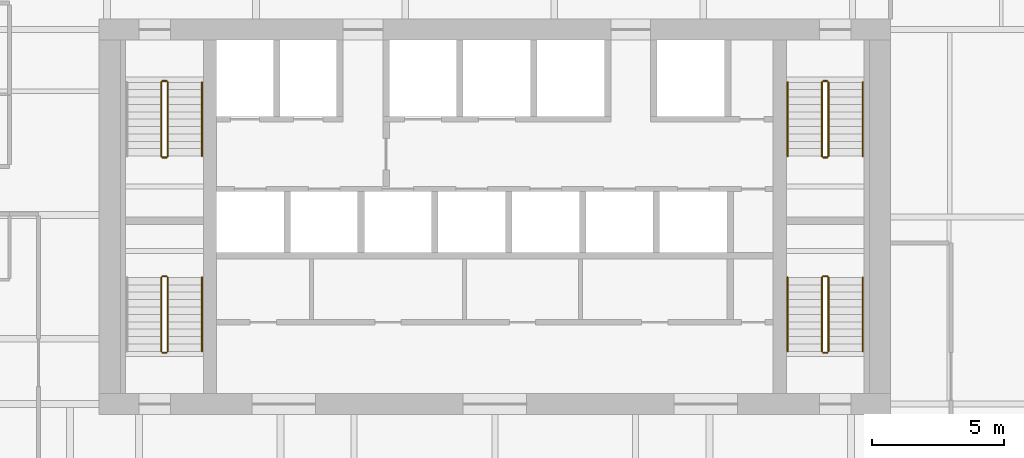
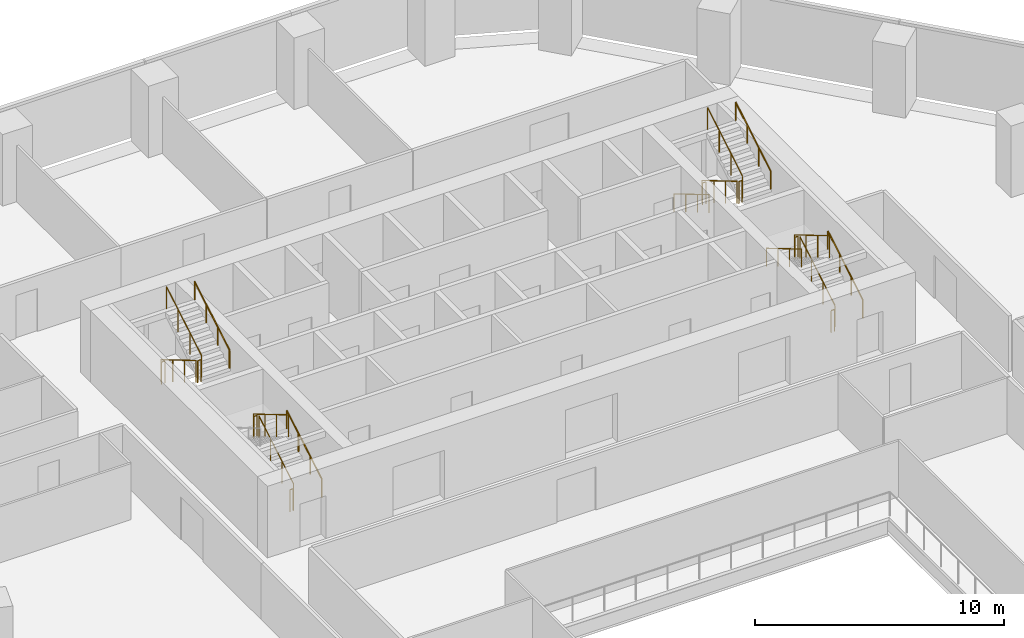
# One storey, part 15 of 16: 22 railings.
"""IFC4 building model written with IfcOpenShell, lengths in metres."""

import ifcopenshell
import ifcopenshell.guid

model = None  # the IFC model being written
_history = None  # IfcOwnerHistory: only IFC2X3 demands one
_inside = {}  # id of a spatial element -> (the spatial element, [elements in it])
_under = {}  # id of a project, library or spatial element -> (it, [spatial elements below it])
_declared = {}  # id of a project -> (the project, [libraries it declares])
_typed = {}  # id of a type object -> (the type object, [elements of that type])
_made_of = {}  # id of a material, layer set ... -> (it, [elements and type objects made of it])


def new_model(schema):
    """Start an empty IFC model of exactly this schema.

    Asked for "IFC4X3", IfcOpenShell would pick the latest addendum, in which some entities
    have other attributes; the version numbers below select the first issue.
    IFC2X3 requires an IfcOwnerHistory on every rooted entity: one is made here for all.
    """
    global model, _history
    if schema == "IFC4X3":
        model = ifcopenshell.file(schema_version=(4, 3, 0, 0))
    else:
        model = ifcopenshell.file(schema=schema)
    _inside.clear()
    _under.clear()
    _declared.clear()
    _typed.clear()
    _made_of.clear()
    _history = None
    if model.schema == "IFC2X3":
        org = make("IfcOrganization", Name="unknown")
        user = make(
            "IfcPersonAndOrganization",
            ThePerson=make("IfcPerson", FamilyName="unknown"),
            TheOrganization=org,
        )
        app = make(
            "IfcApplication",
            ApplicationDeveloper=org,
            Version="unknown",
            ApplicationFullName="unknown",
            ApplicationIdentifier="unknown",
        )
        _history = make(
            "IfcOwnerHistory",
            OwningUser=user,
            OwningApplication=app,
            ChangeAction="ADDED",
            CreationDate=0,
        )
    return model


def make(cls, **values):
    """One entity of the class cls with the attributes given. An attribute that is None is left unset."""
    return model.create_entity(
        cls, **{name: value for name, value in values.items() if value is not None}
    )


def rooted(cls, **values):
    """An entity with a GlobalId (a new one), such as an element, a storey or a relation."""
    return make(cls, GlobalId=ifcopenshell.guid.new(), OwnerHistory=_history, **values)


def si_unit(unit_type, name, prefix=None):
    """IfcSIUnit, for example si_unit("LENGTHUNIT", "METRE", prefix="MILLI")."""
    return make("IfcSIUnit", UnitType=unit_type, Prefix=prefix, Name=name)


def assignment(units):
    """IfcUnitAssignment: the units of a project."""
    return None if units is None else make("IfcUnitAssignment", Units=units)


def point(xyz):
    """IfcCartesianPoint."""
    return None if xyz is None else make("IfcCartesianPoint", Coordinates=xyz)


def direction(xyz):
    """IfcDirection."""
    return None if xyz is None else make("IfcDirection", DirectionRatios=xyz)


def frame(location, z_axis=None, x_axis=None):
    """IfcAxis2Placement3D, a coordinate frame: its origin and axes. An axis left out is left unset."""
    return make(
        "IfcAxis2Placement3D",
        Location=point(location),
        Axis=direction(z_axis),
        RefDirection=direction(x_axis),
    )


def frame_2d(location, x_axis=None):
    """IfcAxis2Placement2D, a coordinate frame in the plane: its origin and x axis."""
    return make(
        "IfcAxis2Placement2D", Location=point(location), RefDirection=direction(x_axis)
    )


def origin():
    """The frame at (0, 0, 0) with its axes left unset."""
    return frame((0.0, 0.0, 0.0))


def origin_2d():
    """The frame at (0, 0) in the plane with its x axis left unset."""
    return frame_2d((0.0, 0.0))


def place(relative_to, where):
    """IfcLocalPlacement: puts the frame where relative to a parent placement (None: the world)."""
    return make(
        "IfcLocalPlacement", PlacementRelTo=relative_to, RelativePlacement=where
    )


def context(
    kind, dimensions, precision=None, world=None, true_north=None, identifier=None
):
    """IfcGeometricRepresentationContext, for example the 3D "Model" context."""
    return make(
        "IfcGeometricRepresentationContext",
        ContextIdentifier=identifier,
        ContextType=kind,
        CoordinateSpaceDimension=dimensions,
        Precision=precision,
        WorldCoordinateSystem=world,
        TrueNorth=true_north,
    )


def subcontext(parent, identifier, kind, view, scale=None):
    """IfcGeometricRepresentationSubContext, for example "Body" below "Model"."""
    return make(
        "IfcGeometricRepresentationSubContext",
        ContextIdentifier=identifier,
        ContextType=kind,
        ParentContext=parent,
        TargetScale=scale,
        TargetView=view,
    )


def project(units=None, contexts=None):
    """IfcProject with its units and contexts."""
    return rooted(
        "IfcProject",
        Name="project",
        RepresentationContexts=contexts,
        UnitsInContext=assignment(units),
    )


def spatial(cls, under=None, at=None, **own):
    """A site, building, storey or space (cls), placed at a placement, below another one or the project."""
    s = rooted(cls, ObjectPlacement=at, **own)
    if under is not None:
        _under.setdefault(under.id(), (under, []))[1].append(s)
    return s


def profile(cls, at=None, kind="AREA", **sizes):
    """A parametric profile (cls). Its sizes go by their IFC names, for example OverallWidth=200.0."""
    return make(cls, ProfileType=kind, Position=at, **sizes)


def circle(**sizes):
    """IfcCircleProfileDef."""
    return profile("IfcCircleProfileDef", **sizes)


def extrude(swept, where, along, depth):
    """IfcExtrudedAreaSolid: the profile swept, set in the frame where, extruded along a direction by depth."""
    return make(
        "IfcExtrudedAreaSolid",
        SweptArea=swept,
        Position=where,
        ExtrudedDirection=direction(along),
        Depth=depth,
    )


def shape(context_of_items, identifier, shape_type, items):
    """IfcShapeRepresentation: the items that make up one representation, for example the "Body"."""
    return make(
        "IfcShapeRepresentation",
        ContextOfItems=context_of_items,
        RepresentationIdentifier=identifier,
        RepresentationType=shape_type,
        Items=items,
    )


def material(Name=None, Category=None):
    """IfcMaterial."""
    return make("IfcMaterial", Name=Name, Category=Category)


def made_of(thing, what):
    """Note that an element or type object is made of a material, layer set ...; save() writes the relation."""
    if what is not None:
        _made_of.setdefault(what.id(), (what, []))[1].append(thing)
    return thing


def type_object(cls, material=None, **own):
    """A type object (cls), such as IfcWallType, which elements share."""
    return made_of(rooted(cls, **own), material)


def element(
    cls,
    number,
    at=None,
    inside=None,
    cuts=None,
    type_object=None,
    material=None,
    context=None,
    identifier="Body",
    shape_type=None,
    held_by="IfcProductDefinitionShape",
    body=None,
    shapes=None,
    **own,
):
    """One element of the class cls, such as IfcWall. Its Tag is "e" and its number.

    at: its placement. inside: the storey or other place that contains it. cuts: it is an
    opening in that element (IfcRelVoidsElement). A single representation is given by context,
    identifier, shape_type and body (its items); several are given by shapes. held_by: the class
    of the entity that holds the representations. save() writes the other relations.
    """
    e = rooted(cls, Tag="e%d" % number, ObjectPlacement=at, **own)
    if body is not None:
        shapes = [shape(context, identifier, shape_type, body)]
    if shapes is not None:
        e.Representation = make(held_by, Representations=shapes)
    if inside is not None:
        _inside.setdefault(inside.id(), (inside, []))[1].append(e)
    if cuts is not None:
        rooted(
            "IfcRelVoidsElement", RelatingBuildingElement=cuts, RelatedOpeningElement=e
        )
    if type_object is not None:
        _typed.setdefault(type_object.id(), (type_object, []))[1].append(e)
    return made_of(e, material)


def aggregate(whole, parts):
    """IfcRelAggregates: a whole, such as a stair, and the parts it consists of."""
    return rooted("IfcRelAggregates", RelatingObject=whole, RelatedObjects=parts)


def save(model, path):
    """Write the relations noted so far, then the file.

    IfcRelAggregates (storeys below a building ...), IfcRelContainedInSpatialStructure (elements
    in a storey), IfcRelDefinesByType, IfcRelAssociatesMaterial and IfcRelDeclares: one each for
    every whole, place, type object, material and project.
    """
    for whole, parts in _under.values():
        aggregate(whole, parts)
    for where, things in _inside.values():
        rooted(
            "IfcRelContainedInSpatialStructure",
            RelatedElements=things,
            RelatingStructure=where,
        )
    for kind, things in _typed.values():
        rooted("IfcRelDefinesByType", RelatedObjects=things, RelatingType=kind)
    for what, things in _made_of.values():
        rooted("IfcRelAssociatesMaterial", RelatedObjects=things, RelatingMaterial=what)
    for by, libraries in _declared.values():
        rooted("IfcRelDeclares", RelatingContext=by, RelatedDefinitions=libraries)
    model.write(path)


model = new_model("IFC4")

# Units and contexts
model_context = context("Model", 3, precision=1e-05, world=origin(), true_north=direction((0.0, 1.0)))
body_context = subcontext(model_context, "Body", "Model", "MODEL_VIEW")
ifc_project = project(units=[si_unit("LENGTHUNIT", "METRE"), si_unit("AREAUNIT", "SQUARE_METRE"), si_unit("VOLUMEUNIT", "CUBIC_METRE"), si_unit("PLANEANGLEUNIT", "RADIAN"), si_unit("MASSUNIT", "GRAM", prefix="KILO")], contexts=[model_context])

# Site, building, storey
site_placement = place(None, origin())
site = spatial("IfcSite", under=ifc_project, at=site_placement, CompositionType="ELEMENT")
building_placement = place(site_placement, origin())
building = spatial("IfcBuilding", under=site, at=building_placement, Name="Isthmus Gate Tower", CompositionType="ELEMENT")
storey_placement = place(building_placement, frame((0.0, 0.0, 155.35009765625)))
storey = spatial("IfcBuildingStorey", under=building, at=storey_placement, Name="L38", CompositionType="ELEMENT", Elevation=155.35009765625)

# Railings
ifc_material_1 = material(Name="Stainless steel balustrade", Category="steel")
railing_type_1 = type_object("IfcRailingType", Name="STAIR GUARD 1100", PredefinedType="GUARDRAIL", material=ifc_material_1)
railing_1_placement = place(storey_placement, frame((-12.64990234375, 12.60009765625, 0.165771484375)))
element("IfcRailing", 1, at=railing_1_placement, inside=storey, type_object=railing_type_1, Name="L38 ST1 stair guard 1", PredefinedType="GUARDRAIL", context=body_context, shape_type="SweptSolid", body=[
    extrude(circle(Radius=0.02392578125, at=origin_2d()), frame((0.0, 0.0, 1.076171875), z_axis=(0.0, -0.860306154799, 0.50977771628), x_axis=(1.0, 0.0, 0.0)), (0.0, 0.0, 1.0), 3.254638671875),
    extrude(circle(Radius=0.02099609375, at=origin_2d()), origin(), (0.0, 0.0, 1.0), 1.052001953125),
    extrude(circle(Radius=0.02099609375, at=origin_2d()), frame((0.0, -0.933349609375, 0.552978515625)), (0.0, 0.0, 1.0), 1.052001953125),
    extrude(circle(Radius=0.02099609375, at=origin_2d()), frame((0.0, -1.86669921875, 1.106201171875)), (0.0, 0.0, 1.0), 1.052001953125),
    extrude(circle(Radius=0.02099609375, at=origin_2d()), frame((0.0, -2.800048828125, 1.6591796875)), (0.0, 0.0, 1.0), 1.052001953125),
])
railing_2_placement = place(storey_placement, frame((-12.60009765625, 9.75, 1.824951171875)))
element("IfcRailing", 2, at=railing_2_placement, inside=storey, type_object=railing_type_1, Name="L38 ST1 stair guard 2", PredefinedType="GUARDRAIL", context=body_context, shape_type="SweptSolid", body=[
    extrude(circle(Radius=0.02392578125, at=origin_2d()), frame((0.0, 0.0, 1.076171875), z_axis=(1.0, 0.0, 0.0), x_axis=(0.0, 1.0, 0.0)), (0.0, 0.0, 1.0), 0.150146484375),
    extrude(circle(Radius=0.02099609375, at=origin_2d()), origin(), (0.0, 0.0, 1.0), 1.052001953125),
    extrude(circle(Radius=0.02099609375, at=origin_2d()), frame((0.150146484375, 0.0, 0.0)), (0.0, 0.0, 1.0), 1.052001953125),
])
railing_3_placement = place(storey_placement, frame((-12.39990234375, 9.800048828125, 1.99072265625)))
element("IfcRailing", 3, at=railing_3_placement, inside=storey, type_object=railing_type_1, Name="L38 ST1 stair guard 3", PredefinedType="GUARDRAIL", context=body_context, shape_type="SweptSolid", body=[
    extrude(circle(Radius=0.02392578125, at=origin_2d()), frame((0.0, 0.0, 1.076171875), z_axis=(0.0, 0.860306154799, 0.50977771628), x_axis=(-1.0, 0.0, 0.0)), (0.0, 0.0, 1.0), 3.254638671875),
    extrude(circle(Radius=0.02099609375, at=origin_2d()), origin(), (0.0, 0.0, 1.0), 1.052001953125),
    extrude(circle(Radius=0.02099609375, at=origin_2d()), frame((0.0, 0.933349609375, 0.552978515625)), (0.0, 0.0, 1.0), 1.052001953125),
    extrude(circle(Radius=0.02099609375, at=origin_2d()), frame((0.0, 1.86669921875, 1.106201171875)), (0.0, 0.0, 1.0), 1.052001953125),
    extrude(circle(Radius=0.02099609375, at=origin_2d()), frame((0.0, 2.800048828125, 1.6591796875)), (0.0, 0.0, 1.0), 1.052001953125),
])
railing_4_placement = place(storey_placement, frame((-12.60009765625, 12.64990234375, 0.0)))
element("IfcRailing", 4, at=railing_4_placement, inside=storey, type_object=railing_type_1, Name="L38 ST1 stair guard 4", PredefinedType="GUARDRAIL", context=body_context, shape_type="SweptSolid", body=[
    extrude(circle(Radius=0.02392578125, at=origin_2d()), frame((0.0, 0.0, 1.076171875), z_axis=(1.0, 0.0, 0.0), x_axis=(0.0, 1.0, 0.0)), (0.0, 0.0, 1.0), 0.150146484375),
    extrude(circle(Radius=0.02099609375, at=origin_2d()), origin(), (0.0, 0.0, 1.0), 1.052001953125),
    extrude(circle(Radius=0.02099609375, at=origin_2d()), frame((0.150146484375, 0.0, 0.0)), (0.0, 0.0, 1.0), 1.052001953125),
])
railing_5_placement = place(storey_placement, frame((12.39990234375, 12.60009765625, 0.165771484375)))
element("IfcRailing", 5, at=railing_5_placement, inside=storey, type_object=railing_type_1, Name="L38 ST2 stair guard 1", PredefinedType="GUARDRAIL", context=body_context, shape_type="SweptSolid", body=[
    extrude(circle(Radius=0.02392578125, at=origin_2d()), frame((0.0, 0.0, 1.076171875), z_axis=(0.0, -0.860306154799, 0.50977771628), x_axis=(1.0, 0.0, 0.0)), (0.0, 0.0, 1.0), 3.254638671875),
    extrude(circle(Radius=0.02099609375, at=origin_2d()), origin(), (0.0, 0.0, 1.0), 1.052001953125),
    extrude(circle(Radius=0.02099609375, at=origin_2d()), frame((0.0, -0.933349609375, 0.552978515625)), (0.0, 0.0, 1.0), 1.052001953125),
    extrude(circle(Radius=0.02099609375, at=origin_2d()), frame((0.0, -1.86669921875, 1.106201171875)), (0.0, 0.0, 1.0), 1.052001953125),
    extrude(circle(Radius=0.02099609375, at=origin_2d()), frame((0.0, -2.800048828125, 1.6591796875)), (0.0, 0.0, 1.0), 1.052001953125),
])
railing_6_placement = place(storey_placement, frame((12.449951171875, 9.75, 1.824951171875)))
element("IfcRailing", 6, at=railing_6_placement, inside=storey, type_object=railing_type_1, Name="L38 ST2 stair guard 2", PredefinedType="GUARDRAIL", context=body_context, shape_type="SweptSolid", body=[
    extrude(circle(Radius=0.02392578125, at=origin_2d()), frame((0.0, 0.0, 1.076171875), z_axis=(1.0, 0.0, 0.0), x_axis=(0.0, 1.0, 0.0)), (0.0, 0.0, 1.0), 0.150146484375),
    extrude(circle(Radius=0.02099609375, at=origin_2d()), origin(), (0.0, 0.0, 1.0), 1.052001953125),
    extrude(circle(Radius=0.02099609375, at=origin_2d()), frame((0.150146484375, 0.0, 0.0)), (0.0, 0.0, 1.0), 1.052001953125),
])
railing_7_placement = place(storey_placement, frame((12.64990234375, 9.800048828125, 1.99072265625)))
element("IfcRailing", 7, at=railing_7_placement, inside=storey, type_object=railing_type_1, Name="L38 ST2 stair guard 3", PredefinedType="GUARDRAIL", context=body_context, shape_type="SweptSolid", body=[
    extrude(circle(Radius=0.02392578125, at=origin_2d()), frame((0.0, 0.0, 1.076171875), z_axis=(0.0, 0.860306154799, 0.50977771628), x_axis=(-1.0, 0.0, 0.0)), (0.0, 0.0, 1.0), 3.254638671875),
    extrude(circle(Radius=0.02099609375, at=origin_2d()), origin(), (0.0, 0.0, 1.0), 1.052001953125),
    extrude(circle(Radius=0.02099609375, at=origin_2d()), frame((0.0, 0.933349609375, 0.552978515625)), (0.0, 0.0, 1.0), 1.052001953125),
    extrude(circle(Radius=0.02099609375, at=origin_2d()), frame((0.0, 1.86669921875, 1.106201171875)), (0.0, 0.0, 1.0), 1.052001953125),
    extrude(circle(Radius=0.02099609375, at=origin_2d()), frame((0.0, 2.800048828125, 1.6591796875)), (0.0, 0.0, 1.0), 1.052001953125),
])
railing_8_placement = place(storey_placement, frame((12.449951171875, 12.64990234375, 0.0)))
element("IfcRailing", 8, at=railing_8_placement, inside=storey, type_object=railing_type_1, Name="L38 ST2 stair guard 4", PredefinedType="GUARDRAIL", context=body_context, shape_type="SweptSolid", body=[
    extrude(circle(Radius=0.02392578125, at=origin_2d()), frame((0.0, 0.0, 1.076171875), z_axis=(1.0, 0.0, 0.0), x_axis=(0.0, 1.0, 0.0)), (0.0, 0.0, 1.0), 0.150146484375),
    extrude(circle(Radius=0.02099609375, at=origin_2d()), origin(), (0.0, 0.0, 1.0), 1.052001953125),
    extrude(circle(Radius=0.02099609375, at=origin_2d()), frame((0.150146484375, 0.0, 0.0)), (0.0, 0.0, 1.0), 1.052001953125),
])
railing_9_placement = place(storey_placement, frame((-12.39990234375, 2.39990234375, 0.165771484375)))
element("IfcRailing", 9, at=railing_9_placement, inside=storey, type_object=railing_type_1, Name="L38 ST7 stair guard 1", PredefinedType="GUARDRAIL", context=body_context, shape_type="SweptSolid", body=[
    extrude(circle(Radius=0.02392578125, at=origin_2d()), frame((0.0, 0.0, 1.076171875), z_axis=(0.0, 0.860306154799, 0.50977771628), x_axis=(-1.0, 0.0, 0.0)), (0.0, 0.0, 1.0), 3.254638671875),
    extrude(circle(Radius=0.02099609375, at=origin_2d()), origin(), (0.0, 0.0, 1.0), 1.052001953125),
    extrude(circle(Radius=0.02099609375, at=origin_2d()), frame((0.0, 0.933349609375, 0.552978515625)), (0.0, 0.0, 1.0), 1.052001953125),
    extrude(circle(Radius=0.02099609375, at=origin_2d()), frame((0.0, 1.86669921875, 1.106201171875)), (0.0, 0.0, 1.0), 1.052001953125),
    extrude(circle(Radius=0.02099609375, at=origin_2d()), frame((0.0, 2.800048828125, 1.6591796875)), (0.0, 0.0, 1.0), 1.052001953125),
])
railing_10_placement = place(storey_placement, frame((-12.449951171875, 5.25, 1.824951171875)))
element("IfcRailing", 10, at=railing_10_placement, inside=storey, type_object=railing_type_1, Name="L38 ST7 stair guard 2", PredefinedType="GUARDRAIL", context=body_context, shape_type="SweptSolid", body=[
    extrude(circle(Radius=0.02392578125, at=origin_2d()), frame((0.0, 0.0, 1.076171875), z_axis=(-1.0, 0.0, 0.0), x_axis=(0.0, -1.0, 0.0)), (0.0, 0.0, 1.0), 0.150146484375),
    extrude(circle(Radius=0.02099609375, at=origin_2d()), origin(), (0.0, 0.0, 1.0), 1.052001953125),
    extrude(circle(Radius=0.02099609375, at=origin_2d()), frame((-0.150146484375, 0.0, 0.0)), (0.0, 0.0, 1.0), 1.052001953125),
])
railing_11_placement = place(storey_placement, frame((-12.64990234375, 5.199951171875, 1.99072265625)))
element("IfcRailing", 11, at=railing_11_placement, inside=storey, type_object=railing_type_1, Name="L38 ST7 stair guard 3", PredefinedType="GUARDRAIL", context=body_context, shape_type="SweptSolid", body=[
    extrude(circle(Radius=0.02392578125, at=origin_2d()), frame((0.0, 0.0, 1.076171875), z_axis=(0.0, -0.860306154799, 0.50977771628), x_axis=(1.0, 0.0, 0.0)), (0.0, 0.0, 1.0), 3.254638671875),
    extrude(circle(Radius=0.02099609375, at=origin_2d()), origin(), (0.0, 0.0, 1.0), 1.052001953125),
    extrude(circle(Radius=0.02099609375, at=origin_2d()), frame((0.0, -0.933349609375, 0.552978515625)), (0.0, 0.0, 1.0), 1.052001953125),
    extrude(circle(Radius=0.02099609375, at=origin_2d()), frame((0.0, -1.86669921875, 1.106201171875)), (0.0, 0.0, 1.0), 1.052001953125),
    extrude(circle(Radius=0.02099609375, at=origin_2d()), frame((0.0, -2.800048828125, 1.6591796875)), (0.0, 0.0, 1.0), 1.052001953125),
])
railing_12_placement = place(storey_placement, frame((-12.449951171875, 2.35009765625, 0.0)))
element("IfcRailing", 12, at=railing_12_placement, inside=storey, type_object=railing_type_1, Name="L38 ST7 stair guard 4", PredefinedType="GUARDRAIL", context=body_context, shape_type="SweptSolid", body=[
    extrude(circle(Radius=0.02392578125, at=origin_2d()), frame((0.0, 0.0, 1.076171875), z_axis=(-1.0, 0.0, 0.0), x_axis=(0.0, -1.0, 0.0)), (0.0, 0.0, 1.0), 0.150146484375),
    extrude(circle(Radius=0.02099609375, at=origin_2d()), origin(), (0.0, 0.0, 1.0), 1.052001953125),
    extrude(circle(Radius=0.02099609375, at=origin_2d()), frame((-0.150146484375, 0.0, 0.0)), (0.0, 0.0, 1.0), 1.052001953125),
])
railing_13_placement = place(storey_placement, frame((12.64990234375, 2.39990234375, 0.165771484375)))
element("IfcRailing", 13, at=railing_13_placement, inside=storey, type_object=railing_type_1, Name="L38 ST8 stair guard 1", PredefinedType="GUARDRAIL", context=body_context, shape_type="SweptSolid", body=[
    extrude(circle(Radius=0.02392578125, at=origin_2d()), frame((0.0, 0.0, 1.076171875), z_axis=(0.0, 0.860306154799, 0.50977771628), x_axis=(-1.0, 0.0, 0.0)), (0.0, 0.0, 1.0), 3.254638671875),
    extrude(circle(Radius=0.02099609375, at=origin_2d()), origin(), (0.0, 0.0, 1.0), 1.052001953125),
    extrude(circle(Radius=0.02099609375, at=origin_2d()), frame((0.0, 0.933349609375, 0.552978515625)), (0.0, 0.0, 1.0), 1.052001953125),
    extrude(circle(Radius=0.02099609375, at=origin_2d()), frame((0.0, 1.86669921875, 1.106201171875)), (0.0, 0.0, 1.0), 1.052001953125),
    extrude(circle(Radius=0.02099609375, at=origin_2d()), frame((0.0, 2.800048828125, 1.6591796875)), (0.0, 0.0, 1.0), 1.052001953125),
])
railing_14_placement = place(storey_placement, frame((12.60009765625, 5.25, 1.824951171875)))
element("IfcRailing", 14, at=railing_14_placement, inside=storey, type_object=railing_type_1, Name="L38 ST8 stair guard 2", PredefinedType="GUARDRAIL", context=body_context, shape_type="SweptSolid", body=[
    extrude(circle(Radius=0.02392578125, at=origin_2d()), frame((0.0, 0.0, 1.076171875), z_axis=(-1.0, 0.0, 0.0), x_axis=(0.0, -1.0, 0.0)), (0.0, 0.0, 1.0), 0.150146484375),
    extrude(circle(Radius=0.02099609375, at=origin_2d()), origin(), (0.0, 0.0, 1.0), 1.052001953125),
    extrude(circle(Radius=0.02099609375, at=origin_2d()), frame((-0.150146484375, 0.0, 0.0)), (0.0, 0.0, 1.0), 1.052001953125),
])
railing_15_placement = place(storey_placement, frame((12.39990234375, 5.199951171875, 1.99072265625)))
element("IfcRailing", 15, at=railing_15_placement, inside=storey, type_object=railing_type_1, Name="L38 ST8 stair guard 3", PredefinedType="GUARDRAIL", context=body_context, shape_type="SweptSolid", body=[
    extrude(circle(Radius=0.02392578125, at=origin_2d()), frame((0.0, 0.0, 1.076171875), z_axis=(0.0, -0.860306154799, 0.50977771628), x_axis=(1.0, 0.0, 0.0)), (0.0, 0.0, 1.0), 3.254638671875),
    extrude(circle(Radius=0.02099609375, at=origin_2d()), origin(), (0.0, 0.0, 1.0), 1.052001953125),
    extrude(circle(Radius=0.02099609375, at=origin_2d()), frame((0.0, -0.933349609375, 0.552978515625)), (0.0, 0.0, 1.0), 1.052001953125),
    extrude(circle(Radius=0.02099609375, at=origin_2d()), frame((0.0, -1.86669921875, 1.106201171875)), (0.0, 0.0, 1.0), 1.052001953125),
    extrude(circle(Radius=0.02099609375, at=origin_2d()), frame((0.0, -2.800048828125, 1.6591796875)), (0.0, 0.0, 1.0), 1.052001953125),
])
railing_16_placement = place(storey_placement, frame((12.60009765625, 2.35009765625, 0.0)))
element("IfcRailing", 16, at=railing_16_placement, inside=storey, type_object=railing_type_1, Name="L38 ST8 stair guard 4", PredefinedType="GUARDRAIL", context=body_context, shape_type="SweptSolid", body=[
    extrude(circle(Radius=0.02392578125, at=origin_2d()), frame((0.0, 0.0, 1.076171875), z_axis=(-1.0, 0.0, 0.0), x_axis=(0.0, -1.0, 0.0)), (0.0, 0.0, 1.0), 0.150146484375),
    extrude(circle(Radius=0.02099609375, at=origin_2d()), origin(), (0.0, 0.0, 1.0), 1.052001953125),
    extrude(circle(Radius=0.02099609375, at=origin_2d()), frame((-0.150146484375, 0.0, 0.0)), (0.0, 0.0, 1.0), 1.052001953125),
])
ifc_material_2 = material(Name="Stainless steel handrail", Category="steel")
railing_type_2 = type_object("IfcRailingType", Name="STAIR HANDRAIL 900", PredefinedType="HANDRAIL", material=ifc_material_2)
railing_17_placement = place(storey_placement, frame((-11.10009765625, 9.800048828125, 1.99072265625)))
element("IfcRailing", 17, at=railing_17_placement, inside=storey, type_object=railing_type_2, Name="L38 ST1 stair handrail 2", PredefinedType="HANDRAIL", context=body_context, shape_type="SweptSolid", body=[
    extrude(circle(Radius=0.02392578125, at=origin_2d()), frame((0.0, 0.0, 0.8759765625), z_axis=(0.0, 0.860306154799, 0.50977771628), x_axis=(-1.0, 0.0, 0.0)), (0.0, 0.0, 1.0), 3.254638671875),
    extrude(circle(Radius=0.02099609375, at=origin_2d()), origin(), (0.0, 0.0, 1.0), 0.851806640625),
    extrude(circle(Radius=0.02099609375, at=origin_2d()), frame((0.0, 0.933349609375, 0.552978515625)), (0.0, 0.0, 1.0), 0.851806640625),
    extrude(circle(Radius=0.02099609375, at=origin_2d()), frame((0.0, 1.86669921875, 1.106201171875)), (0.0, 0.0, 1.0), 0.851806640625),
    extrude(circle(Radius=0.02099609375, at=origin_2d()), frame((0.0, 2.800048828125, 1.6591796875)), (0.0, 0.0, 1.0), 0.851806640625),
])
railing_18_placement = place(storey_placement, frame((11.10009765625, 12.60009765625, 0.165771484375)))
element("IfcRailing", 18, at=railing_18_placement, inside=storey, type_object=railing_type_2, Name="L38 ST2 stair handrail 1", PredefinedType="HANDRAIL", context=body_context, shape_type="SweptSolid", body=[
    extrude(circle(Radius=0.02392578125, at=origin_2d()), frame((0.0, 0.0, 0.8759765625), z_axis=(0.0, -0.860306154799, 0.50977771628), x_axis=(1.0, 0.0, 0.0)), (0.0, 0.0, 1.0), 3.254638671875),
    extrude(circle(Radius=0.02099609375, at=origin_2d()), origin(), (0.0, 0.0, 1.0), 0.851806640625),
    extrude(circle(Radius=0.02099609375, at=origin_2d()), frame((0.0, -0.933349609375, 0.552978515625)), (0.0, 0.0, 1.0), 0.851806640625),
    extrude(circle(Radius=0.02099609375, at=origin_2d()), frame((0.0, -1.86669921875, 1.106201171875)), (0.0, 0.0, 1.0), 0.851806640625),
    extrude(circle(Radius=0.02099609375, at=origin_2d()), frame((0.0, -2.800048828125, 1.6591796875)), (0.0, 0.0, 1.0), 0.851806640625),
])
for number, where, name in (
    (19, (13.949951171875, 9.800048828125, 1.99072265625), "L38 ST2 stair handrail 2"),
    (20, (-11.10009765625, 2.39990234375, 0.165771484375), "L38 ST7 stair handrail 1"),
    (21, (13.949951171875, 2.39990234375, 0.165771484375), "L38 ST8 stair handrail 1"),
):
    element("IfcRailing", number, at=place(storey_placement, frame(where)), inside=storey, type_object=railing_type_2, Name=name, PredefinedType="HANDRAIL", context=body_context, shape_type="SweptSolid", body=[
        extrude(circle(Radius=0.02392578125, at=origin_2d()), frame((0.0, 0.0, 0.8759765625), z_axis=(0.0, 0.860306154799, 0.50977771628), x_axis=(-1.0, 0.0, 0.0)), (0.0, 0.0, 1.0), 3.254638671875),
        extrude(circle(Radius=0.02099609375, at=origin_2d()), origin(), (0.0, 0.0, 1.0), 0.851806640625),
        extrude(circle(Radius=0.02099609375, at=origin_2d()), frame((0.0, 0.933349609375, 0.552978515625)), (0.0, 0.0, 1.0), 0.851806640625),
        extrude(circle(Radius=0.02099609375, at=origin_2d()), frame((0.0, 1.86669921875, 1.106201171875)), (0.0, 0.0, 1.0), 0.851806640625),
        extrude(circle(Radius=0.02099609375, at=origin_2d()), frame((0.0, 2.800048828125, 1.6591796875)), (0.0, 0.0, 1.0), 0.851806640625),
    ])
railing_19_placement = place(storey_placement, frame((11.10009765625, 5.199951171875, 1.99072265625)))
element("IfcRailing", 22, at=railing_19_placement, inside=storey, type_object=railing_type_2, Name="L38 ST8 stair handrail 2", PredefinedType="HANDRAIL", context=body_context, shape_type="SweptSolid", body=[
    extrude(circle(Radius=0.02392578125, at=origin_2d()), frame((0.0, 0.0, 0.8759765625), z_axis=(0.0, -0.860306154799, 0.50977771628), x_axis=(1.0, 0.0, 0.0)), (0.0, 0.0, 1.0), 3.254638671875),
    extrude(circle(Radius=0.02099609375, at=origin_2d()), origin(), (0.0, 0.0, 1.0), 0.851806640625),
    extrude(circle(Radius=0.02099609375, at=origin_2d()), frame((0.0, -0.933349609375, 0.552978515625)), (0.0, 0.0, 1.0), 0.851806640625),
    extrude(circle(Radius=0.02099609375, at=origin_2d()), frame((0.0, -1.86669921875, 1.106201171875)), (0.0, 0.0, 1.0), 0.851806640625),
    extrude(circle(Radius=0.02099609375, at=origin_2d()), frame((0.0, -2.800048828125, 1.6591796875)), (0.0, 0.0, 1.0), 0.851806640625),
])

save(model, "model.ifc")
